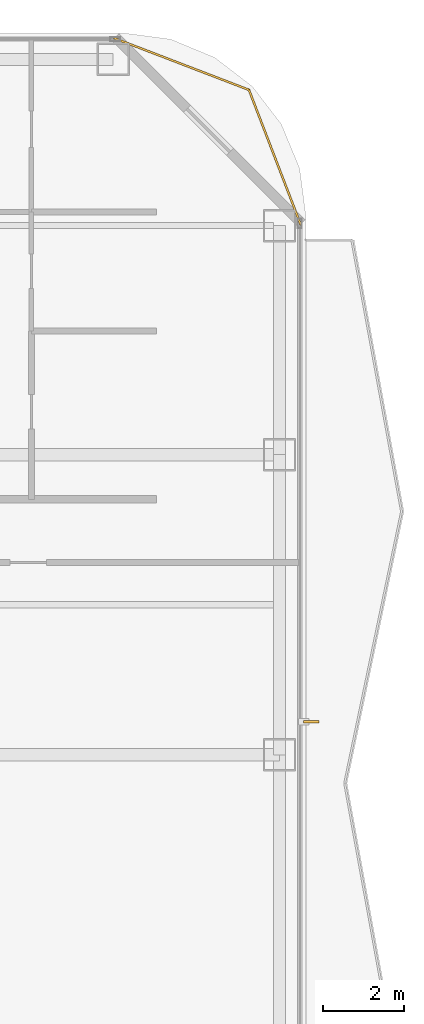
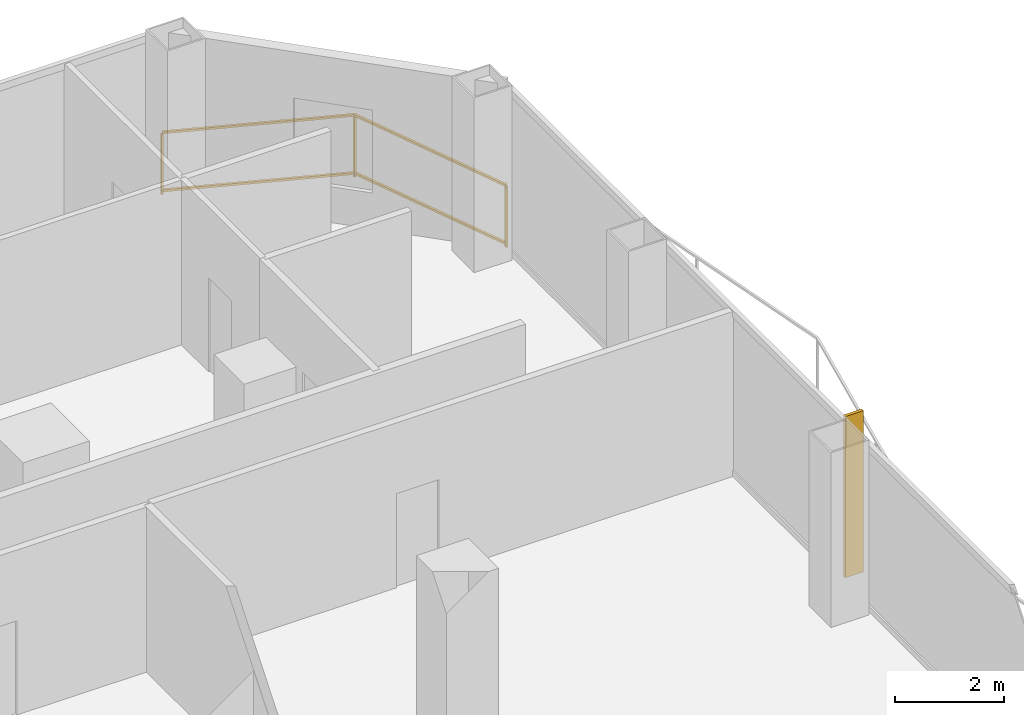
# One storey, part 30 of 30: 1 railing, 1 shading device.
"""IFC4 building model written with IfcOpenShell, lengths in metres."""

from ifc_helpers import new_model, si_unit, direction, frame, origin, origin_2d, place, context, subcontext, project, spatial, rectangle, extrude, material, layer, layer_set, type_object, element, save


model = new_model("IFC4")

# Units and contexts
model_context = context("Model", 3, precision=1e-05, world=origin(), true_north=direction((0.0, 1.0)))
body_context = subcontext(model_context, "Body", "Model", "MODEL_VIEW")
ifc_project = project(units=[si_unit("LENGTHUNIT", "METRE"), si_unit("AREAUNIT", "SQUARE_METRE"), si_unit("VOLUMEUNIT", "CUBIC_METRE"), si_unit("PLANEANGLEUNIT", "RADIAN"), si_unit("MASSUNIT", "GRAM", prefix="KILO")], contexts=[model_context])

# Site, building, storey
site_placement = place(None, origin())
site = spatial("IfcSite", under=ifc_project, at=site_placement, CompositionType="ELEMENT")
building_placement = place(site_placement, origin())
building = spatial("IfcBuilding", under=site, at=building_placement, Name="Khorvyn Point Tower", CompositionType="ELEMENT")
storey_placement = place(building_placement, frame((0.0, 0.0, 30.60009765625)))
storey = spatial("IfcBuildingStorey", under=building, at=storey_placement, Name="L08", CompositionType="ELEMENT", Elevation=30.60009765625)

# Shading device
ifc_material_1 = material(Name="Bronze anodised aluminium 6063-T6", Category="aluminium")
ifc_layer = layer(ifc_material_1, 0.06494140625)
ifc_layer_set = layer_set([ifc_layer], Name="Bronze Anodised Aluminium FIN 380x65")
shading_device_type = type_object("IfcShadingDeviceType", Name="Bronze Anodised Aluminium FIN 380x65", PredefinedType="USERDEFINED", material=ifc_layer_set)
shading_device_placement = place(storey_placement, frame((28.22998046875, 8.219970703125, 0.039794921875), z_axis=(0.0, 0.0, 1.0), x_axis=(1.0, 0.0, 0.0)))
element("IfcShadingDevice", 1, at=shading_device_placement, inside=storey, type_object=shading_device_type, Name="L08 Anodised FIN 01", ObjectType="FIN", PredefinedType="USERDEFINED", context=body_context, shape_type="SweptSolid", body=[
    extrude(rectangle(XDim=0.3798828125, YDim=0.06494140625, at=origin_2d()), origin(), (0.0, 0.0, 1.0), 3.60009765625),
])

# Railing
ifc_material_2 = material(Name="Anodised aluminium 6063-T6 and laminated safety glass", Category="aluminium")
railing_type = type_object("IfcRailingType", Name="Laminated Glass and Aluminium Balcony Guardrail 1400", PredefinedType="BALUSTRADE", material=ifc_material_2)
railing_placement = place(storey_placement, frame((27.97412109375, 20.470703125, 0.0)))
element("IfcRailing", 2, at=railing_placement, inside=storey, type_object=railing_type, Name="L08 Rounded Corner Edge Guardrail NE", PredefinedType="BALUSTRADE", context=body_context, shape_type="SweptSolid", body=[
    extrude(rectangle(XDim=0.048095703125, YDim=0.048095703125, at=origin_2d()), frame((0.0, 0.0, 1.3759765625), z_axis=(-0.35841886047, 0.933560882031, 0.0), x_axis=(-0.933560882031, -0.35841886047, 0.0)), (0.0, 0.0, 1.0), 3.563232421875),
    extrude(rectangle(XDim=0.048095703125, YDim=0.048095703125, at=origin_2d()), frame((0.0, 0.0, 0.080078125), z_axis=(-0.35841886047, 0.933560882031, 0.0), x_axis=(-0.933560882031, -0.35841886047, 0.0)), (0.0, 0.0, 1.0), 3.563232421875),
    extrude(rectangle(XDim=0.048095703125, YDim=0.048095703125, at=origin_2d()), frame((-1.277099609375, 3.326416015625, 1.3759765625), z_axis=(-0.933575007025, 0.358382067435, 0.0), x_axis=(-0.358382067435, -0.933575007025, 0.0)), (0.0, 0.0, 1.0), 3.562744140625),
    extrude(rectangle(XDim=0.048095703125, YDim=0.048095703125, at=origin_2d()), frame((-1.277099609375, 3.326416015625, 0.080078125), z_axis=(-0.933575007025, 0.358382067435, 0.0), x_axis=(-0.358382067435, -0.933575007025, 0.0)), (0.0, 0.0, 1.0), 3.562744140625),
    extrude(rectangle(XDim=0.0419921875, YDim=0.0419921875, at=origin_2d()), origin(), (0.0, 0.0, 1.0), 1.351806640625),
    extrude(rectangle(XDim=0.0419921875, YDim=0.0419921875, at=origin_2d()), frame((-1.277099609375, 3.326416015625, 0.0)), (0.0, 0.0, 1.0), 1.351806640625),
    extrude(rectangle(XDim=0.0419921875, YDim=0.0419921875, at=origin_2d()), frame((-4.603271484375, 4.603271484375, 0.0)), (0.0, 0.0, 1.0), 1.351806640625),
])

save(model, "model.ifc")
